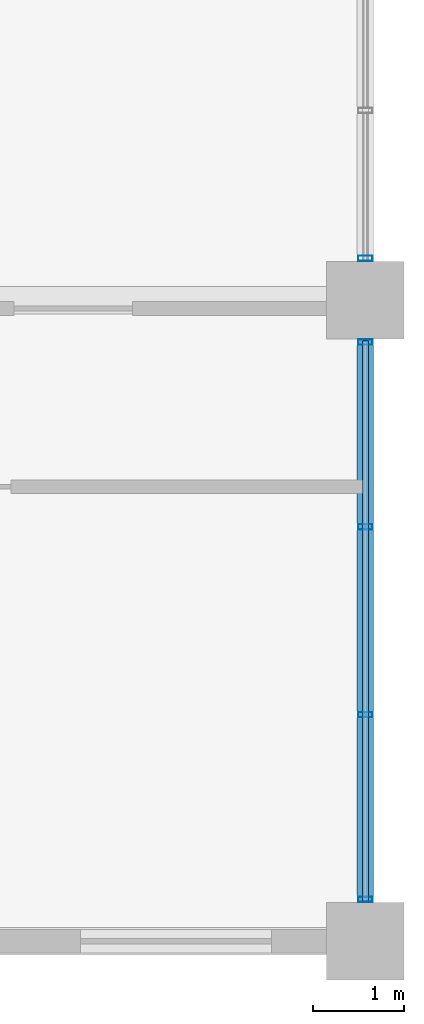
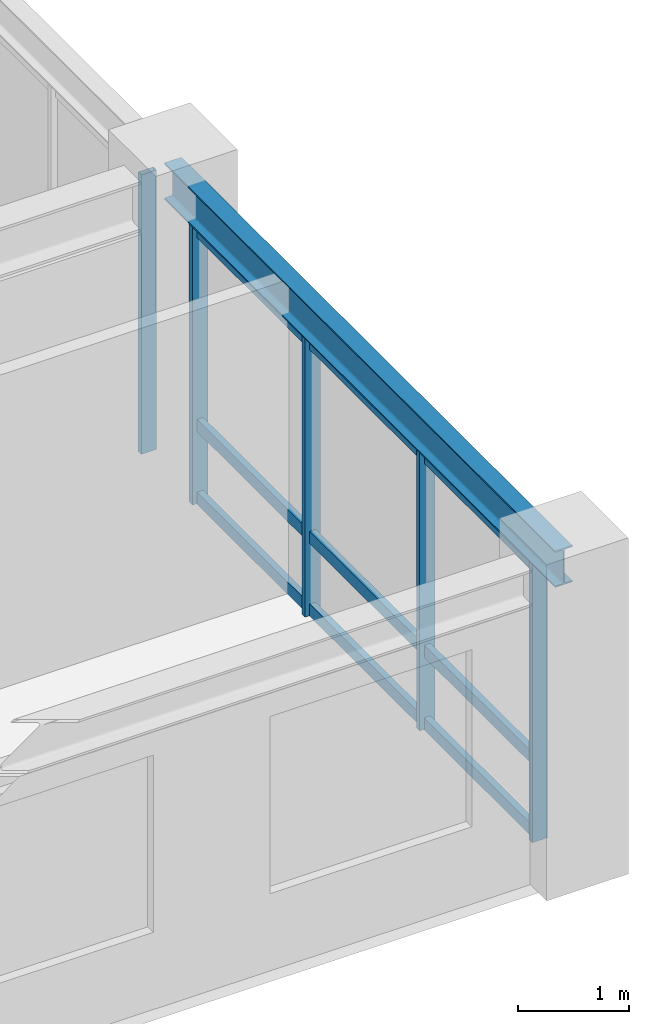
# One storey, part 2 of 11: 8 members, 1 beam, 2 elements without a shape of their own.
"""IFC4 building model written with IfcOpenShell, lengths in metres."""

import ifcopenshell
import ifcopenshell.guid

model = None  # the IFC model being written
_history = None  # IfcOwnerHistory: only IFC2X3 demands one
_inside = {}  # id of a spatial element -> (the spatial element, [elements in it])
_under = {}  # id of a project, library or spatial element -> (it, [spatial elements below it])
_declared = {}  # id of a project -> (the project, [libraries it declares])
_typed = {}  # id of a type object -> (the type object, [elements of that type])
_made_of = {}  # id of a material, layer set ... -> (it, [elements and type objects made of it])


def new_model(schema):
    """Start an empty IFC model of exactly this schema.

    Asked for "IFC4X3", IfcOpenShell would pick the latest addendum, in which some entities
    have other attributes; the version numbers below select the first issue.
    IFC2X3 requires an IfcOwnerHistory on every rooted entity: one is made here for all.
    """
    global model, _history
    if schema == "IFC4X3":
        model = ifcopenshell.file(schema_version=(4, 3, 0, 0))
    else:
        model = ifcopenshell.file(schema=schema)
    _inside.clear()
    _under.clear()
    _declared.clear()
    _typed.clear()
    _made_of.clear()
    _history = None
    if model.schema == "IFC2X3":
        org = make("IfcOrganization", Name="unknown")
        user = make(
            "IfcPersonAndOrganization",
            ThePerson=make("IfcPerson", FamilyName="unknown"),
            TheOrganization=org,
        )
        app = make(
            "IfcApplication",
            ApplicationDeveloper=org,
            Version="unknown",
            ApplicationFullName="unknown",
            ApplicationIdentifier="unknown",
        )
        _history = make(
            "IfcOwnerHistory",
            OwningUser=user,
            OwningApplication=app,
            ChangeAction="ADDED",
            CreationDate=0,
        )
    return model


def make(cls, **values):
    """One entity of the class cls with the attributes given. An attribute that is None is left unset."""
    return model.create_entity(
        cls, **{name: value for name, value in values.items() if value is not None}
    )


def rooted(cls, **values):
    """An entity with a GlobalId (a new one), such as an element, a storey or a relation."""
    return make(cls, GlobalId=ifcopenshell.guid.new(), OwnerHistory=_history, **values)


def si_unit(unit_type, name, prefix=None):
    """IfcSIUnit, for example si_unit("LENGTHUNIT", "METRE", prefix="MILLI")."""
    return make("IfcSIUnit", UnitType=unit_type, Prefix=prefix, Name=name)


def assignment(units):
    """IfcUnitAssignment: the units of a project."""
    return None if units is None else make("IfcUnitAssignment", Units=units)


def point(xyz):
    """IfcCartesianPoint."""
    return None if xyz is None else make("IfcCartesianPoint", Coordinates=xyz)


def direction(xyz):
    """IfcDirection."""
    return None if xyz is None else make("IfcDirection", DirectionRatios=xyz)


def frame(location, z_axis=None, x_axis=None):
    """IfcAxis2Placement3D, a coordinate frame: its origin and axes. An axis left out is left unset."""
    return make(
        "IfcAxis2Placement3D",
        Location=point(location),
        Axis=direction(z_axis),
        RefDirection=direction(x_axis),
    )


def frame_2d(location, x_axis=None):
    """IfcAxis2Placement2D, a coordinate frame in the plane: its origin and x axis."""
    return make(
        "IfcAxis2Placement2D", Location=point(location), RefDirection=direction(x_axis)
    )


def origin():
    """The frame at (0, 0, 0) with its axes left unset."""
    return frame((0.0, 0.0, 0.0))


def origin_2d():
    """The frame at (0, 0) in the plane with its x axis left unset."""
    return frame_2d((0.0, 0.0))


def place(relative_to, where):
    """IfcLocalPlacement: puts the frame where relative to a parent placement (None: the world)."""
    return make(
        "IfcLocalPlacement", PlacementRelTo=relative_to, RelativePlacement=where
    )


def context(
    kind, dimensions, precision=None, world=None, true_north=None, identifier=None
):
    """IfcGeometricRepresentationContext, for example the 3D "Model" context."""
    return make(
        "IfcGeometricRepresentationContext",
        ContextIdentifier=identifier,
        ContextType=kind,
        CoordinateSpaceDimension=dimensions,
        Precision=precision,
        WorldCoordinateSystem=world,
        TrueNorth=true_north,
    )


def subcontext(parent, identifier, kind, view, scale=None):
    """IfcGeometricRepresentationSubContext, for example "Body" below "Model"."""
    return make(
        "IfcGeometricRepresentationSubContext",
        ContextIdentifier=identifier,
        ContextType=kind,
        ParentContext=parent,
        TargetScale=scale,
        TargetView=view,
    )


def project(units=None, contexts=None):
    """IfcProject with its units and contexts."""
    return rooted(
        "IfcProject",
        Name="project",
        RepresentationContexts=contexts,
        UnitsInContext=assignment(units),
    )


def spatial(cls, under=None, at=None, **own):
    """A site, building, storey or space (cls), placed at a placement, below another one or the project."""
    s = rooted(cls, ObjectPlacement=at, **own)
    if under is not None:
        _under.setdefault(under.id(), (under, []))[1].append(s)
    return s


def profile(cls, at=None, kind="AREA", **sizes):
    """A parametric profile (cls). Its sizes go by their IFC names, for example OverallWidth=200.0."""
    return make(cls, ProfileType=kind, Position=at, **sizes)


def hollow_rectangle(**sizes):
    """IfcRectangleHollowProfileDef."""
    return profile("IfcRectangleHollowProfileDef", **sizes)


def i_section(**sizes):
    """IfcIShapeProfileDef."""
    return profile("IfcIShapeProfileDef", **sizes)


def extrude(swept, where, along, depth):
    """IfcExtrudedAreaSolid: the profile swept, set in the frame where, extruded along a direction by depth."""
    return make(
        "IfcExtrudedAreaSolid",
        SweptArea=swept,
        Position=where,
        ExtrudedDirection=direction(along),
        Depth=depth,
    )


def shape(context_of_items, identifier, shape_type, items):
    """IfcShapeRepresentation: the items that make up one representation, for example the "Body"."""
    return make(
        "IfcShapeRepresentation",
        ContextOfItems=context_of_items,
        RepresentationIdentifier=identifier,
        RepresentationType=shape_type,
        Items=items,
    )


def source(mapping_origin, context_of_items, identifier, shape_type, items):
    """IfcRepresentationMap: a shape defined once, which mapped items show again and again."""
    return make(
        "IfcRepresentationMap",
        MappingOrigin=mapping_origin,
        MappedRepresentation=shape(context_of_items, identifier, shape_type, items),
    )


def transform(
    local_origin,
    x_axis=None,
    y_axis=None,
    z_axis=None,
    scale=None,
    scale2=None,
    scale3=None,
    uniform=True,
):
    """IfcCartesianTransformationOperator3D, or its non-uniform kind. x_axis, y_axis, z_axis: its Axis1, 2, 3."""
    if uniform:
        return make(
            "IfcCartesianTransformationOperator3D",
            Axis1=direction(x_axis),
            Axis2=direction(y_axis),
            LocalOrigin=point(local_origin),
            Scale=scale,
            Axis3=direction(z_axis),
        )
    return make(
        "IfcCartesianTransformationOperator3DnonUniform",
        Axis1=direction(x_axis),
        Axis2=direction(y_axis),
        LocalOrigin=point(local_origin),
        Scale=scale,
        Axis3=direction(z_axis),
        Scale2=scale2,
        Scale3=scale3,
    )


def mapped(mapping_source, mapping_target):
    """IfcMappedItem: shows the shape of a source again, moved by a transform."""
    return make(
        "IfcMappedItem", MappingSource=mapping_source, MappingTarget=mapping_target
    )


def material(Name=None, Category=None):
    """IfcMaterial."""
    return make("IfcMaterial", Name=Name, Category=Category)


def layer(
    of_material, thickness, ventilated=None, Name=None, Category=None, Priority=None
):
    """IfcMaterialLayer: one layer of a wall or slab, of a material (None: an air gap)."""
    return make(
        "IfcMaterialLayer",
        Material=of_material,
        LayerThickness=thickness,
        IsVentilated=ventilated,
        Name=Name,
        Category=Category,
        Priority=Priority,
    )


def layer_set(layers, Name=None):
    """IfcMaterialLayerSet."""
    return make("IfcMaterialLayerSet", MaterialLayers=layers, LayerSetName=Name)


def material_profile(
    of_material, cross_section, Name=None, Category=None, Priority=None
):
    """IfcMaterialProfile: a cross section and its material."""
    return make(
        "IfcMaterialProfile",
        Name=Name,
        Material=of_material,
        Profile=cross_section,
        Priority=Priority,
        Category=Category,
    )


def profile_set(profiles, Name=None, composite=None):
    """IfcMaterialProfileSet."""
    return make(
        "IfcMaterialProfileSet",
        Name=Name,
        MaterialProfiles=profiles,
        CompositeProfile=composite,
    )


def made_of(thing, what):
    """Note that an element or type object is made of a material, layer set ...; save() writes the relation."""
    if what is not None:
        _made_of.setdefault(what.id(), (what, []))[1].append(thing)
    return thing


def type_object(cls, material=None, **own):
    """A type object (cls), such as IfcWallType, which elements share."""
    return made_of(rooted(cls, **own), material)


def element(
    cls,
    number,
    at=None,
    inside=None,
    cuts=None,
    type_object=None,
    material=None,
    context=None,
    identifier="Body",
    shape_type=None,
    held_by="IfcProductDefinitionShape",
    body=None,
    shapes=None,
    **own,
):
    """One element of the class cls, such as IfcWall. Its Tag is "e" and its number.

    at: its placement. inside: the storey or other place that contains it. cuts: it is an
    opening in that element (IfcRelVoidsElement). A single representation is given by context,
    identifier, shape_type and body (its items); several are given by shapes. held_by: the class
    of the entity that holds the representations. save() writes the other relations.
    """
    e = rooted(cls, Tag="e%d" % number, ObjectPlacement=at, **own)
    if body is not None:
        shapes = [shape(context, identifier, shape_type, body)]
    if shapes is not None:
        e.Representation = make(held_by, Representations=shapes)
    if inside is not None:
        _inside.setdefault(inside.id(), (inside, []))[1].append(e)
    if cuts is not None:
        rooted(
            "IfcRelVoidsElement", RelatingBuildingElement=cuts, RelatedOpeningElement=e
        )
    if type_object is not None:
        _typed.setdefault(type_object.id(), (type_object, []))[1].append(e)
    return made_of(e, material)


def aggregate(whole, parts):
    """IfcRelAggregates: a whole, such as a stair, and the parts it consists of."""
    return rooted("IfcRelAggregates", RelatingObject=whole, RelatedObjects=parts)


def save(model, path):
    """Write the relations noted so far, then the file.

    IfcRelAggregates (storeys below a building ...), IfcRelContainedInSpatialStructure (elements
    in a storey), IfcRelDefinesByType, IfcRelAssociatesMaterial and IfcRelDeclares: one each for
    every whole, place, type object, material and project.
    """
    for whole, parts in _under.values():
        aggregate(whole, parts)
    for where, things in _inside.values():
        rooted(
            "IfcRelContainedInSpatialStructure",
            RelatedElements=things,
            RelatingStructure=where,
        )
    for kind, things in _typed.values():
        rooted("IfcRelDefinesByType", RelatedObjects=things, RelatingType=kind)
    for what, things in _made_of.values():
        rooted("IfcRelAssociatesMaterial", RelatedObjects=things, RelatingMaterial=what)
    for by, libraries in _declared.values():
        rooted("IfcRelDeclares", RelatingContext=by, RelatedDefinitions=libraries)
    model.write(path)


model = new_model("IFC4")

# Units and contexts
model_context = context("Model", 3, precision=1e-05, world=origin(), true_north=direction((0.0, 1.0)))
body_context = subcontext(model_context, "Body", "Model", "MODEL_VIEW")
ifc_project = project(units=[si_unit("LENGTHUNIT", "METRE"), si_unit("AREAUNIT", "SQUARE_METRE"), si_unit("VOLUMEUNIT", "CUBIC_METRE"), si_unit("PLANEANGLEUNIT", "RADIAN"), si_unit("MASSUNIT", "GRAM", prefix="KILO")], contexts=[model_context])

# Site, building, storey
site_placement = place(None, origin())
site = spatial("IfcSite", under=ifc_project, at=site_placement, CompositionType="ELEMENT")
building_placement = place(site_placement, origin())
building = spatial("IfcBuilding", under=site, at=building_placement, Name="Kaliganga Portal Commons", CompositionType="ELEMENT")
storey_placement = place(building_placement, frame((0.0, 0.0, 264.699951171875)))
storey = spatial("IfcBuildingStorey", under=building, at=storey_placement, Name="L68", CompositionType="ELEMENT", Elevation=264.699951171875)

# Beam
ifc_material_1 = material(Name="Structural steel S355J2", Category="steel")
ifc_material_profile_1 = material_profile(ifc_material_1, i_section(OverallWidth=0.179931640625, OverallDepth=0.39990234375, WebThickness=0.008544921875, FlangeThickness=0.013427734375, FilletRadius=0.02099609375, at=origin_2d()), Name="IPE 400")
ifc_profile_set_1 = profile_set([ifc_material_profile_1], Name="Structural steel S355J2 wide-flange")
beam_type = type_object("IfcBeamType", Name="BM-FLR-400", PredefinedType="BEAM", material=ifc_profile_set_1)
shared_shape_1 = source(origin(), body_context, "Body", "SweptSolid", [
    extrude(i_section(OverallWidth=0.179931640625, OverallDepth=0.39990234375, WebThickness=0.008544921875, FlangeThickness=0.013427734375, FilletRadius=0.02099609375, at=origin_2d()), origin(), (0.0, 0.0, 1.0), 7.0498046875),
])
beam_placement = place(storey_placement, frame((46.800048828125, 21.60009765625, 3.275146484375), z_axis=(0.0, 1.0, 0.0), x_axis=(-1.0, 0.0, 0.0)))
element("IfcBeam", 1, at=beam_placement, inside=storey, type_object=beam_type, Name="BM G L68 AS468", PredefinedType="BEAM", context=body_context, shape_type="MappedRepresentation", body=[
    mapped(shared_shape_1, transform((0.0, 0.0, 0.0), x_axis=(1.0, 0.0, 0.0), y_axis=(0.0, 1.0, 0.0), z_axis=(0.0, 0.0, 1.0), scale=1.0)),
])

# Curtain wall, members
ifc_material_2 = material(Name="Anodized Aluminium and Laminated Low-E Glass", Category="aluminium")
ifc_layer = layer(ifc_material_2, 0.18994140625)
ifc_layer_set = layer_set([ifc_layer], Name="Anodized Aluminium and Laminated Low-E Glass")
curtain_wall_type = type_object("IfcCurtainWallType", Name="CW-SYS-05", PredefinedType="NOTDEFINED", material=ifc_layer_set)
curtain_wall_1_placement = place(storey_placement, origin())
curtain_wall_1 = element("IfcCurtainWall", 2, at=curtain_wall_1_placement, inside=storey, type_object=curtain_wall_type, Name="CW 05 L68 P1E01S1", PredefinedType="NOTDEFINED")
ifc_material_3 = material(Name="Dark Bronze Anodized Aluminium", Category="aluminium")
ifc_material_profile_2 = material_profile(ifc_material_3, hollow_rectangle(XDim=0.06005859375, YDim=0.159912109375, WallThickness=0.00341796875, at=origin_2d()), Name="ALU MULL 60x160x3.5")
ifc_profile_set_2 = profile_set([ifc_material_profile_2], Name="Dark Bronze Anodized Aluminium")
member_type_1 = type_object("IfcMemberType", Name="CW-MUL-160", PredefinedType="MULLION", material=ifc_profile_set_2)
shared_shape_2 = source(origin(), body_context, "Body", "SweptSolid", [
    extrude(hollow_rectangle(XDim=0.06005859375, YDim=0.159912109375, WallThickness=0.00341796875, at=origin_2d()), origin(), (0.0, 0.0, 1.0), 3.074951171875),
])
member_1_placement = place(storey_placement, frame((46.800048828125, 22.06103515625, 0.0), z_axis=(0.0, 0.0, 1.0), x_axis=(0.0, 1.0, 0.0)))
member_1 = element("IfcMember", 3, at=member_1_placement, type_object=member_type_1, Name="CW:05:L68:P1E01S1 Mullion 00", PredefinedType="MULLION", context=body_context, shape_type="MappedRepresentation", body=[
    mapped(shared_shape_2, transform((0.0, 0.0, 0.0), x_axis=(1.0, 0.0, 0.0), y_axis=(0.0, 1.0, 0.0), z_axis=(0.0, 0.0, 1.0), scale=1.0)),
])
member_2_placement = place(storey_placement, frame((46.800048828125, 24.092041015625, 0.0), z_axis=(0.0, 0.0, 1.0), x_axis=(0.0, 1.0, 0.0)))
member_2 = element("IfcMember", 4, at=member_2_placement, type_object=member_type_1, Name="CW:05:L68:P1E01S1 Mullion 01", PredefinedType="MULLION", context=body_context, shape_type="MappedRepresentation", body=[
    mapped(shared_shape_2, transform((0.0, 0.0, 0.0), x_axis=(1.0, 0.0, 0.0), y_axis=(0.0, 1.0, 0.0), z_axis=(0.0, 0.0, 1.0), scale=1.0)),
])
member_3_placement = place(storey_placement, frame((46.800048828125, 26.157958984375, 0.0), z_axis=(0.0, 0.0, 1.0), x_axis=(0.0, 1.0, 0.0)))
member_3 = element("IfcMember", 5, at=member_3_placement, type_object=member_type_1, Name="CW:05:L68:P1E01S1 Mullion 02", PredefinedType="MULLION", context=body_context, shape_type="MappedRepresentation", body=[
    mapped(shared_shape_2, transform((0.0, 0.0, 0.0), x_axis=(1.0, 0.0, 0.0), y_axis=(0.0, 1.0, 0.0), z_axis=(0.0, 0.0, 1.0), scale=1.0)),
])
member_4_placement = place(storey_placement, frame((46.800048828125, 28.18896484375, 0.0), z_axis=(0.0, 0.0, 1.0), x_axis=(0.0, 1.0, 0.0)))
member_4 = element("IfcMember", 6, at=member_4_placement, type_object=member_type_1, Name="CW:05:L68:P1E01S1 Mullion 03", PredefinedType="MULLION", context=body_context, shape_type="MappedRepresentation", body=[
    mapped(shared_shape_2, transform((0.0, 0.0, 0.0), x_axis=(1.0, 0.0, 0.0), y_axis=(0.0, 1.0, 0.0), z_axis=(0.0, 0.0, 1.0), scale=1.0)),
])

# Curtain wall, member
curtain_wall_2_placement = place(storey_placement, origin())
curtain_wall_2 = element("IfcCurtainWall", 7, at=curtain_wall_2_placement, inside=storey, type_object=curtain_wall_type, Name="CW 05 L68 P1E01S2", PredefinedType="NOTDEFINED")
member_5_placement = place(storey_placement, frame((46.800048828125, 29.111083984375, 0.0), z_axis=(0.0, 0.0, 1.0), x_axis=(0.0, 1.0, 0.0)))
member_5 = element("IfcMember", 8, at=member_5_placement, type_object=member_type_1, Name="CW:05:L68:P1E01S2 Mullion 00", PredefinedType="MULLION", context=body_context, shape_type="MappedRepresentation", body=[
    mapped(shared_shape_2, transform((0.0, 0.0, 0.0), x_axis=(1.0, 0.0, 0.0), y_axis=(0.0, 1.0, 0.0), z_axis=(0.0, 0.0, 1.0), scale=1.0)),
])
aggregate(curtain_wall_2, [member_5])

# Member
ifc_material_profile_3 = material_profile(ifc_material_3, hollow_rectangle(XDim=0.06494140625, YDim=0.135009765625, WallThickness=0.00341796875, at=origin_2d()), Name="ALU TRAN 65x135x3.5")
ifc_profile_set_3 = profile_set([ifc_material_profile_3], Name="Dark Bronze Anodized Aluminium")
member_type_2 = type_object("IfcMemberType", Name="CW-TRN-135", PredefinedType="USERDEFINED", material=ifc_profile_set_3)
shared_shape_3 = source(origin(), body_context, "Body", "SweptSolid", [
    extrude(hollow_rectangle(XDim=0.06494140625, YDim=0.135009765625, WallThickness=0.00341796875, at=origin_2d()), origin(), (0.0, 0.0, 1.0), 6.158203125),
])
member_6_placement = place(storey_placement, frame((46.800048828125, 22.0458984375, 0.06005859375), z_axis=(0.0, 1.0, 0.0), x_axis=(-1.0, 0.0, 0.0)))
member_6 = element("IfcMember", 9, at=member_6_placement, type_object=member_type_2, Name="CW:05:L68:P1E01S1 Transom 1", ObjectType="TRANSOM", PredefinedType="USERDEFINED", context=body_context, shape_type="MappedRepresentation", body=[
    mapped(shared_shape_3, transform((0.0, 0.0, 0.0), x_axis=(1.0, 0.0, 0.0), y_axis=(0.0, 1.0, 0.0), z_axis=(0.0, 0.0, 1.0), scale=1.0)),
])

member_7_placement = place(storey_placement, frame((46.800048828125, 22.0458984375, 0.861083984375), z_axis=(0.0, 1.0, 0.0), x_axis=(-1.0, 0.0, 0.0)))
member_7 = element("IfcMember", 10, at=member_7_placement, type_object=member_type_2, Name="CW:05:L68:P1E01S1 Transom 2", ObjectType="TRANSOM", PredefinedType="USERDEFINED", context=body_context, shape_type="MappedRepresentation", body=[
    mapped(shared_shape_3, transform((0.0, 0.0, 0.0), x_axis=(1.0, 0.0, 0.0), y_axis=(0.0, 1.0, 0.0), z_axis=(0.0, 0.0, 1.0), scale=1.0)),
])

member_8_placement = place(storey_placement, frame((46.800048828125, 22.0458984375, 2.9951171875), z_axis=(0.0, 1.0, 0.0), x_axis=(-1.0, 0.0, 0.0)))
member_8 = element("IfcMember", 11, at=member_8_placement, type_object=member_type_2, Name="CW:05:L68:P1E01S1 Transom 3", ObjectType="TRANSOM", PredefinedType="USERDEFINED", context=body_context, shape_type="MappedRepresentation", body=[
    mapped(shared_shape_3, transform((0.0, 0.0, 0.0), x_axis=(1.0, 0.0, 0.0), y_axis=(0.0, 1.0, 0.0), z_axis=(0.0, 0.0, 1.0), scale=1.0)),
])

aggregate(curtain_wall_1, [member_1, member_2, member_3, member_4, member_6, member_7, member_8])

save(model, "model.ifc")
